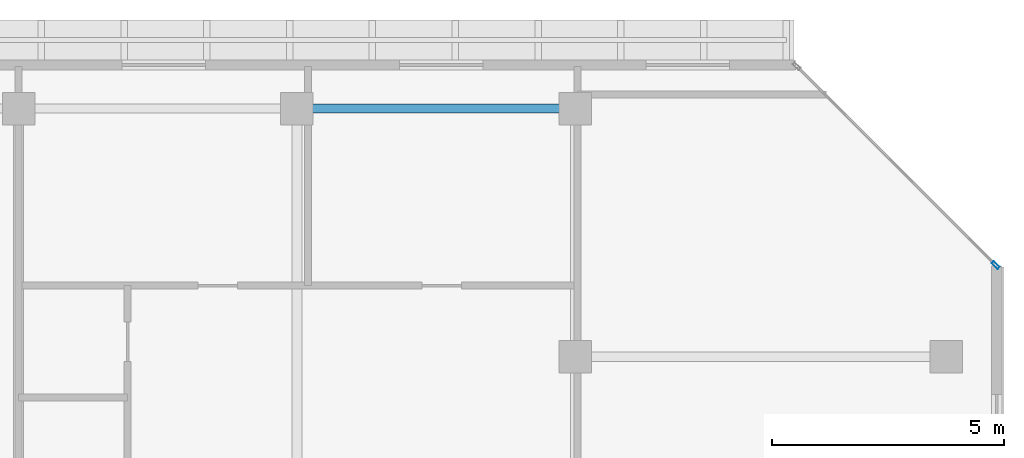
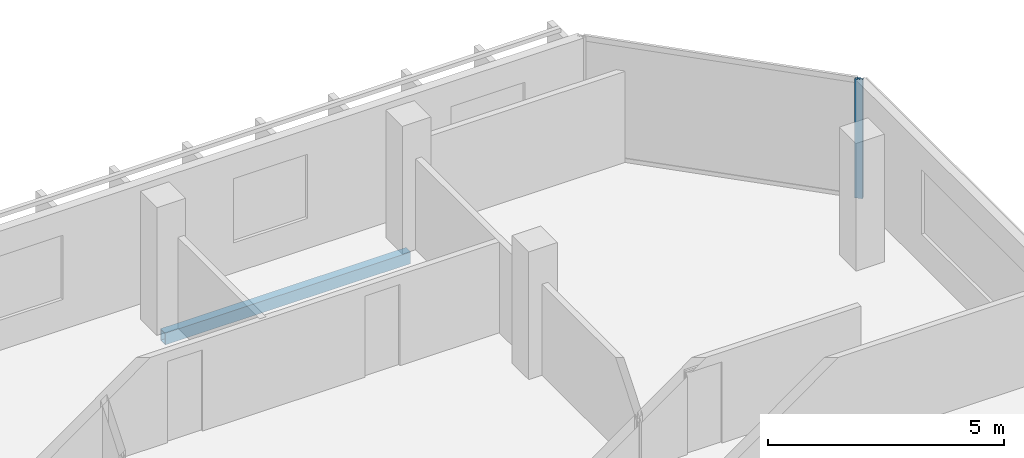
# One storey, part 18 of 28: 1 beam, 1 member, 1 element without a shape of its own.
"""IFC4 building model written with IfcOpenShell, lengths in metres."""

import ifcopenshell
import ifcopenshell.guid

model = None  # the IFC model being written
_history = None  # IfcOwnerHistory: only IFC2X3 demands one
_inside = {}  # id of a spatial element -> (the spatial element, [elements in it])
_under = {}  # id of a project, library or spatial element -> (it, [spatial elements below it])
_declared = {}  # id of a project -> (the project, [libraries it declares])
_typed = {}  # id of a type object -> (the type object, [elements of that type])
_made_of = {}  # id of a material, layer set ... -> (it, [elements and type objects made of it])


def new_model(schema):
    """Start an empty IFC model of exactly this schema.

    Asked for "IFC4X3", IfcOpenShell would pick the latest addendum, in which some entities
    have other attributes; the version numbers below select the first issue.
    IFC2X3 requires an IfcOwnerHistory on every rooted entity: one is made here for all.
    """
    global model, _history
    if schema == "IFC4X3":
        model = ifcopenshell.file(schema_version=(4, 3, 0, 0))
    else:
        model = ifcopenshell.file(schema=schema)
    _inside.clear()
    _under.clear()
    _declared.clear()
    _typed.clear()
    _made_of.clear()
    _history = None
    if model.schema == "IFC2X3":
        org = make("IfcOrganization", Name="unknown")
        user = make(
            "IfcPersonAndOrganization",
            ThePerson=make("IfcPerson", FamilyName="unknown"),
            TheOrganization=org,
        )
        app = make(
            "IfcApplication",
            ApplicationDeveloper=org,
            Version="unknown",
            ApplicationFullName="unknown",
            ApplicationIdentifier="unknown",
        )
        _history = make(
            "IfcOwnerHistory",
            OwningUser=user,
            OwningApplication=app,
            ChangeAction="ADDED",
            CreationDate=0,
        )
    return model


def make(cls, **values):
    """One entity of the class cls with the attributes given. An attribute that is None is left unset."""
    return model.create_entity(
        cls, **{name: value for name, value in values.items() if value is not None}
    )


def rooted(cls, **values):
    """An entity with a GlobalId (a new one), such as an element, a storey or a relation."""
    return make(cls, GlobalId=ifcopenshell.guid.new(), OwnerHistory=_history, **values)


def si_unit(unit_type, name, prefix=None):
    """IfcSIUnit, for example si_unit("LENGTHUNIT", "METRE", prefix="MILLI")."""
    return make("IfcSIUnit", UnitType=unit_type, Prefix=prefix, Name=name)


def assignment(units):
    """IfcUnitAssignment: the units of a project."""
    return None if units is None else make("IfcUnitAssignment", Units=units)


def point(xyz):
    """IfcCartesianPoint."""
    return None if xyz is None else make("IfcCartesianPoint", Coordinates=xyz)


def direction(xyz):
    """IfcDirection."""
    return None if xyz is None else make("IfcDirection", DirectionRatios=xyz)


def frame(location, z_axis=None, x_axis=None):
    """IfcAxis2Placement3D, a coordinate frame: its origin and axes. An axis left out is left unset."""
    return make(
        "IfcAxis2Placement3D",
        Location=point(location),
        Axis=direction(z_axis),
        RefDirection=direction(x_axis),
    )


def frame_2d(location, x_axis=None):
    """IfcAxis2Placement2D, a coordinate frame in the plane: its origin and x axis."""
    return make(
        "IfcAxis2Placement2D", Location=point(location), RefDirection=direction(x_axis)
    )


def origin():
    """The frame at (0, 0, 0) with its axes left unset."""
    return frame((0.0, 0.0, 0.0))


def origin_2d():
    """The frame at (0, 0) in the plane with its x axis left unset."""
    return frame_2d((0.0, 0.0))


def place(relative_to, where):
    """IfcLocalPlacement: puts the frame where relative to a parent placement (None: the world)."""
    return make(
        "IfcLocalPlacement", PlacementRelTo=relative_to, RelativePlacement=where
    )


def context(
    kind, dimensions, precision=None, world=None, true_north=None, identifier=None
):
    """IfcGeometricRepresentationContext, for example the 3D "Model" context."""
    return make(
        "IfcGeometricRepresentationContext",
        ContextIdentifier=identifier,
        ContextType=kind,
        CoordinateSpaceDimension=dimensions,
        Precision=precision,
        WorldCoordinateSystem=world,
        TrueNorth=true_north,
    )


def subcontext(parent, identifier, kind, view, scale=None):
    """IfcGeometricRepresentationSubContext, for example "Body" below "Model"."""
    return make(
        "IfcGeometricRepresentationSubContext",
        ContextIdentifier=identifier,
        ContextType=kind,
        ParentContext=parent,
        TargetScale=scale,
        TargetView=view,
    )


def project(units=None, contexts=None):
    """IfcProject with its units and contexts."""
    return rooted(
        "IfcProject",
        Name="project",
        RepresentationContexts=contexts,
        UnitsInContext=assignment(units),
    )


def spatial(cls, under=None, at=None, **own):
    """A site, building, storey or space (cls), placed at a placement, below another one or the project."""
    s = rooted(cls, ObjectPlacement=at, **own)
    if under is not None:
        _under.setdefault(under.id(), (under, []))[1].append(s)
    return s


def profile(cls, at=None, kind="AREA", **sizes):
    """A parametric profile (cls). Its sizes go by their IFC names, for example OverallWidth=200.0."""
    return make(cls, ProfileType=kind, Position=at, **sizes)


def hollow_rectangle(**sizes):
    """IfcRectangleHollowProfileDef."""
    return profile("IfcRectangleHollowProfileDef", **sizes)


def extrude(swept, where, along, depth):
    """IfcExtrudedAreaSolid: the profile swept, set in the frame where, extruded along a direction by depth."""
    return make(
        "IfcExtrudedAreaSolid",
        SweptArea=swept,
        Position=where,
        ExtrudedDirection=direction(along),
        Depth=depth,
    )


def shape(context_of_items, identifier, shape_type, items):
    """IfcShapeRepresentation: the items that make up one representation, for example the "Body"."""
    return make(
        "IfcShapeRepresentation",
        ContextOfItems=context_of_items,
        RepresentationIdentifier=identifier,
        RepresentationType=shape_type,
        Items=items,
    )


def material(Name=None, Category=None):
    """IfcMaterial."""
    return make("IfcMaterial", Name=Name, Category=Category)


def layer(
    of_material, thickness, ventilated=None, Name=None, Category=None, Priority=None
):
    """IfcMaterialLayer: one layer of a wall or slab, of a material (None: an air gap)."""
    return make(
        "IfcMaterialLayer",
        Material=of_material,
        LayerThickness=thickness,
        IsVentilated=ventilated,
        Name=Name,
        Category=Category,
        Priority=Priority,
    )


def layer_set(layers, Name=None):
    """IfcMaterialLayerSet."""
    return make("IfcMaterialLayerSet", MaterialLayers=layers, LayerSetName=Name)


def material_profile(
    of_material, cross_section, Name=None, Category=None, Priority=None
):
    """IfcMaterialProfile: a cross section and its material."""
    return make(
        "IfcMaterialProfile",
        Name=Name,
        Material=of_material,
        Profile=cross_section,
        Priority=Priority,
        Category=Category,
    )


def profile_set(profiles, Name=None, composite=None):
    """IfcMaterialProfileSet."""
    return make(
        "IfcMaterialProfileSet",
        Name=Name,
        MaterialProfiles=profiles,
        CompositeProfile=composite,
    )


def made_of(thing, what):
    """Note that an element or type object is made of a material, layer set ...; save() writes the relation."""
    if what is not None:
        _made_of.setdefault(what.id(), (what, []))[1].append(thing)
    return thing


def type_object(cls, material=None, **own):
    """A type object (cls), such as IfcWallType, which elements share."""
    return made_of(rooted(cls, **own), material)


def element(
    cls,
    number,
    at=None,
    inside=None,
    cuts=None,
    type_object=None,
    material=None,
    context=None,
    identifier="Body",
    shape_type=None,
    held_by="IfcProductDefinitionShape",
    body=None,
    shapes=None,
    **own,
):
    """One element of the class cls, such as IfcWall. Its Tag is "e" and its number.

    at: its placement. inside: the storey or other place that contains it. cuts: it is an
    opening in that element (IfcRelVoidsElement). A single representation is given by context,
    identifier, shape_type and body (its items); several are given by shapes. held_by: the class
    of the entity that holds the representations. save() writes the other relations.
    """
    e = rooted(cls, Tag="e%d" % number, ObjectPlacement=at, **own)
    if body is not None:
        shapes = [shape(context, identifier, shape_type, body)]
    if shapes is not None:
        e.Representation = make(held_by, Representations=shapes)
    if inside is not None:
        _inside.setdefault(inside.id(), (inside, []))[1].append(e)
    if cuts is not None:
        rooted(
            "IfcRelVoidsElement", RelatingBuildingElement=cuts, RelatedOpeningElement=e
        )
    if type_object is not None:
        _typed.setdefault(type_object.id(), (type_object, []))[1].append(e)
    return made_of(e, material)


def aggregate(whole, parts):
    """IfcRelAggregates: a whole, such as a stair, and the parts it consists of."""
    return rooted("IfcRelAggregates", RelatingObject=whole, RelatedObjects=parts)


def save(model, path):
    """Write the relations noted so far, then the file.

    IfcRelAggregates (storeys below a building ...), IfcRelContainedInSpatialStructure (elements
    in a storey), IfcRelDefinesByType, IfcRelAssociatesMaterial and IfcRelDeclares: one each for
    every whole, place, type object, material and project.
    """
    for whole, parts in _under.values():
        aggregate(whole, parts)
    for where, things in _inside.values():
        rooted(
            "IfcRelContainedInSpatialStructure",
            RelatedElements=things,
            RelatingStructure=where,
        )
    for kind, things in _typed.values():
        rooted("IfcRelDefinesByType", RelatedObjects=things, RelatingType=kind)
    for what, things in _made_of.values():
        rooted("IfcRelAssociatesMaterial", RelatedObjects=things, RelatingMaterial=what)
    for by, libraries in _declared.values():
        rooted("IfcRelDeclares", RelatingContext=by, RelatedDefinitions=libraries)
    model.write(path)


model = new_model("IFC4")

# Units and contexts
model_context = context("Model", 3, precision=1e-05, world=origin(), true_north=direction((0.0, 1.0)))
body_context = subcontext(model_context, "Body", "Model", "MODEL_VIEW")
ifc_project = project(units=[si_unit("LENGTHUNIT", "METRE"), si_unit("AREAUNIT", "SQUARE_METRE"), si_unit("VOLUMEUNIT", "CUBIC_METRE"), si_unit("PLANEANGLEUNIT", "RADIAN"), si_unit("MASSUNIT", "GRAM", prefix="KILO")], contexts=[model_context])

# Site, building, storey
site_placement = place(None, origin())
site = spatial("IfcSite", under=ifc_project, at=site_placement, CompositionType="ELEMENT")
building_placement = place(site_placement, origin())
building = spatial("IfcBuilding", under=site, at=building_placement, Name="Tanjung Sevakor Pilgrim Tower", CompositionType="ELEMENT")
storey_placement = place(building_placement, frame((0.0, 0.0, 239.25)))
storey = spatial("IfcBuildingStorey", under=building, at=storey_placement, Name="L67", CompositionType="ELEMENT", Elevation=239.25)

# Beam
ifc_material_1 = material(Name="Steel S355J2", Category="steel")
ifc_material_profile_1 = material_profile(ifc_material_1, hollow_rectangle(XDim=0.199951171875, YDim=0.300048828125, WallThickness=0.012451171875, at=origin_2d()))
ifc_profile_set_1 = profile_set([ifc_material_profile_1], Name="Steel S355J2")
beam_type = type_object("IfcBeamType", Name="BM-B-SP3-RHS_300x200x12.5", PredefinedType="SPANDREL", material=ifc_profile_set_1)
beam_placement = place(storey_placement, frame((84.0, 53.949951171875, -0.3701171875), z_axis=(1.0, 0.0, 0.0), x_axis=(0.0, 1.0, 0.0)))
element("IfcBeam", 1, at=beam_placement, inside=storey, type_object=beam_type, Name="L67 Spandrel EAST N-06", PredefinedType="SPANDREL", context=body_context, shape_type="SweptSolid", body=[
    extrude(hollow_rectangle(XDim=0.199951171875, YDim=0.300048828125, WallThickness=0.012451171875, at=origin_2d()), origin(), (0.0, 0.0, 1.0), 6.0),
])

# Curtain wall, member
ifc_material_2 = material(Name="Aluminium 6063-T6 and Low-E Glass", Category="aluminium")
ifc_layer = layer(ifc_material_2, 0.179931640625)
ifc_layer_set = layer_set([ifc_layer], Name="CW-SYS-CHAM")
curtain_wall_type = type_object("IfcCurtainWallType", Name="CW-SYS-CHAM", PredefinedType="NOTDEFINED", material=ifc_layer_set)
curtain_wall_placement = place(storey_placement, origin())
curtain_wall = element("IfcCurtainWall", 2, at=curtain_wall_placement, inside=storey, type_object=curtain_wall_type, Name="L67 Curtain Wall CW-CHM-L67-EAST-3", PredefinedType="NOTDEFINED")
ifc_material_3 = material(Name="Aluminium 6063-T6", Category="aluminium")
ifc_material_profile_2 = material_profile(ifc_material_3, hollow_rectangle(XDim=0.06494140625, YDim=0.179931640625, WallThickness=0.00390625, at=origin_2d()))
ifc_profile_set_2 = profile_set([ifc_material_profile_2], Name="Aluminium 6063-T6")
member_type = type_object("IfcMemberType", Name="TYPE-CWM-1", PredefinedType="MULLION", material=ifc_profile_set_2)
member_placement = place(storey_placement, frame((99.067138671875, 50.577392578125, 0.0), z_axis=(0.0, 0.0, 1.0), x_axis=(-0.707106781187, -0.707106781187, 0.0)))
member = element("IfcMember", 3, at=member_placement, type_object=member_type, Name="CW-CHM mullion 1", PredefinedType="MULLION", context=body_context, shape_type="SweptSolid", body=[
    extrude(hollow_rectangle(XDim=0.06494140625, YDim=0.179931640625, WallThickness=0.00390625, at=origin_2d()), origin(), (0.0, 0.0, 1.0), 3.080078125),
])
aggregate(curtain_wall, [member])

save(model, "model.ifc")
